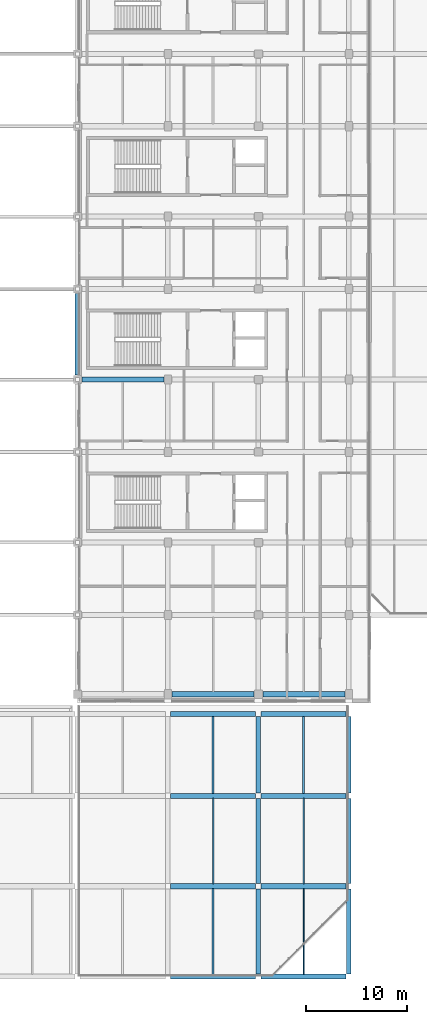
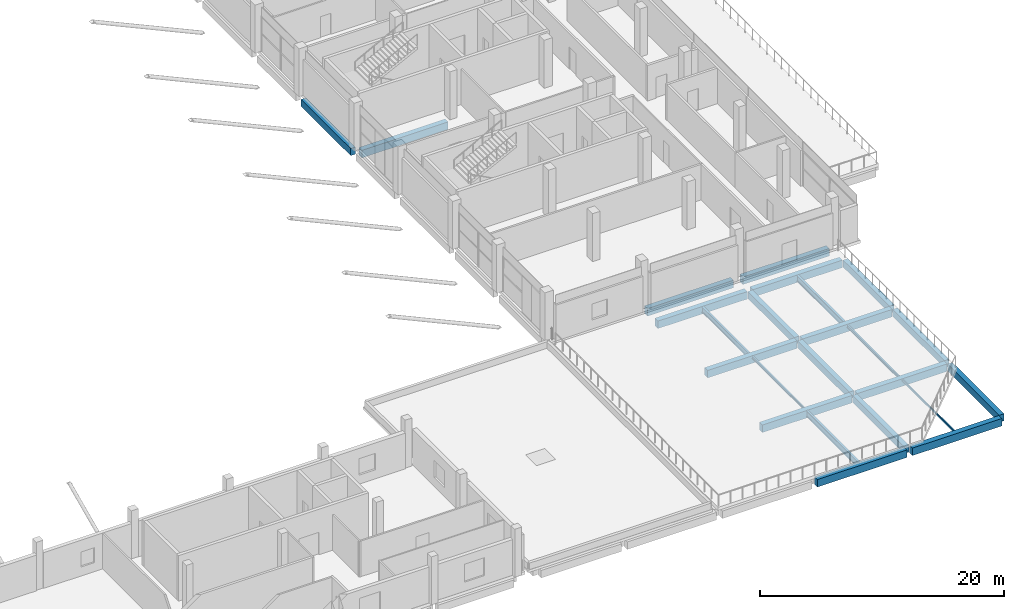
# One storey, part 25 of 82: 24 beams.
"""IFC4 building model written with IfcOpenShell, lengths in metres."""

from ifc_helpers import new_model, si_unit, direction, frame, origin, origin_2d, place, context, subcontext, project, spatial, rectangle, hollow_rectangle, i_section, extrude, material, material_profile, profile_set, type_object, element, save


model = new_model("IFC4")

# Units and contexts
model_context = context("Model", 3, precision=1e-05, world=origin(), true_north=direction((0.0, 1.0)))
body_context = subcontext(model_context, "Body", "Model", "MODEL_VIEW")
ifc_project = project(units=[si_unit("LENGTHUNIT", "METRE"), si_unit("AREAUNIT", "SQUARE_METRE"), si_unit("VOLUMEUNIT", "CUBIC_METRE"), si_unit("PLANEANGLEUNIT", "RADIAN"), si_unit("MASSUNIT", "GRAM", prefix="KILO"), si_unit("THERMODYNAMICTEMPERATUREUNIT", "KELVIN"), si_unit("POWERUNIT", "WATT")], contexts=[model_context])

# Site, building, storey
site_placement = place(None, origin())
site = spatial("IfcSite", under=ifc_project, at=site_placement, CompositionType="ELEMENT")
building_placement = place(site_placement, origin())
building = spatial("IfcBuilding", under=site, at=building_placement, Name="Sindhuravela Promenade Stadium", CompositionType="ELEMENT")
storey_placement = place(building_placement, frame((0.0, 0.0, 14.39990234375)))
storey = spatial("IfcBuildingStorey", under=building, at=storey_placement, Name="L03", CompositionType="ELEMENT", Elevation=14.39990234375)

# Beams
ifc_material_1 = material(Name="Concrete M40", Category="concrete")
ifc_material_profile_1 = material_profile(ifc_material_1, rectangle(XDim=0.449951171875, YDim=0.699951171875, at=origin_2d()), Name="RC 450x700")
ifc_profile_set_1 = profile_set([ifc_material_profile_1], Name="Concrete M40")
beam_type_1 = type_object("IfcBeamType", Name="RC-BM-450x700", PredefinedType="BEAM", material=ifc_profile_set_1)
beam_1_placement = place(storey_placement, frame((180.0, 68.840087890625, -0.64990234375), z_axis=(0.0, 1.0, 0.0), x_axis=(-1.0, 0.0, 0.0)))
element("IfcBeam", 1, at=beam_1_placement, inside=storey, type_object=beam_type_1, Name="Primary beam GB07 EAST L03", PredefinedType="BEAM", context=body_context, shape_type="SweptSolid", body=[
    extrude(rectangle(XDim=0.449951171875, YDim=0.699951171875, at=origin_2d()), origin(), (0.0, 0.0, 1.0), 8.119873046875),
])
for number, where, z_axis, x_axis, name in (
    (2, (198.0, 9.264892578125, -0.659912109375), (0.0, 1.0, 0.0), (-1.0, 0.0, 0.0), "Primary beam GB07 Pavilion SE L03"),
    (3, (198.0, 18.264892578125, -0.659912109375), (0.0, 1.0, 0.0), (-1.0, 0.0, 0.0), "Primary beam GB07 Pavilion SE L03"),
):
    element("IfcBeam", number, at=place(storey_placement, frame(where, z_axis=z_axis, x_axis=x_axis)), inside=storey, type_object=beam_type_1, Name=name, PredefinedType="BEAM", context=body_context, shape_type="SweptSolid", body=[
        extrude(rectangle(XDim=0.449951171875, YDim=0.699951171875, at=origin_2d()), origin(), (0.0, 0.0, 1.0), 8.47021484375),
    ])
beam_2_placement = place(storey_placement, frame((198.0, 27.264892578125, -0.659912109375), z_axis=(0.0, 1.0, 0.0), x_axis=(-1.0, 0.0, 0.0)))
element("IfcBeam", 4, at=beam_2_placement, inside=storey, type_object=beam_type_1, Name="Primary beam GB07 Pavilion SE L03", PredefinedType="BEAM", context=body_context, shape_type="SweptSolid", body=[
    extrude(rectangle(XDim=0.449951171875, YDim=0.699951171875, at=origin_2d()), origin(), (0.0, 0.0, 1.0), 7.6201171875),
])
for number, where, z_axis, x_axis, name in (
    (5, (207.0, 9.264892578125, -0.659912109375), (0.0, 1.0, 0.0), (-1.0, 0.0, 0.0), "Primary beam GB07 Pavilion SE L03"),
    (6, (207.0, 18.264892578125, -0.659912109375), (0.0, 1.0, 0.0), (-1.0, 0.0, 0.0), "Primary beam GB07 Pavilion SE L03"),
):
    element("IfcBeam", number, at=place(storey_placement, frame(where, z_axis=z_axis, x_axis=x_axis)), inside=storey, type_object=beam_type_1, Name=name, PredefinedType="BEAM", context=body_context, shape_type="SweptSolid", body=[
        extrude(rectangle(XDim=0.449951171875, YDim=0.699951171875, at=origin_2d()), origin(), (0.0, 0.0, 1.0), 8.47021484375),
    ])
beam_3_placement = place(storey_placement, frame((207.0, 27.264892578125, -0.659912109375), z_axis=(0.0, 1.0, 0.0), x_axis=(-1.0, 0.0, 0.0)))
element("IfcBeam", 7, at=beam_3_placement, inside=storey, type_object=beam_type_1, Name="Primary beam GB07 Pavilion SE L03", PredefinedType="BEAM", context=body_context, shape_type="SweptSolid", body=[
    extrude(rectangle(XDim=0.449951171875, YDim=0.699951171875, at=origin_2d()), origin(), (0.0, 0.0, 1.0), 7.6201171875),
])
ifc_material_profile_2 = material_profile(ifc_material_1, rectangle(XDim=0.5, YDim=0.75, at=origin_2d()), Name="RC 500x750")
ifc_profile_set_2 = profile_set([ifc_material_profile_2], Name="Concrete M40")
beam_type_2 = type_object("IfcBeamType", Name="RC-BM-500x750", PredefinedType="BEAM", material=ifc_profile_set_2)
for number, where, z_axis, x_axis, name in (
    (8, (189.389892578125, 37.10009765625, -0.6748046875), (1.0, 0.0, 0.0), (0.0, 1.0, 0.0), "Primary girder GB06 EAST L03"),
    (9, (198.43994140625, 37.10009765625, -0.6748046875), (1.0, 0.0, 0.0), (0.0, 1.0, 0.0), "Primary girder GB06 EAST L03"),
    (10, (180.43994140625, 68.39990234375, -0.6748046875), (1.0, 0.0, 0.0), (0.0, 1.0, 0.0), "Primary girder GB06 EAST L03"),
):
    element("IfcBeam", number, at=place(storey_placement, frame(where, z_axis=z_axis, x_axis=x_axis)), inside=storey, type_object=beam_type_2, Name=name, PredefinedType="BEAM", context=body_context, shape_type="SweptSolid", body=[
        extrude(rectangle(XDim=0.5, YDim=0.75, at=origin_2d()), origin(), (0.0, 0.0, 1.0), 8.170166015625),
    ])
for number, where, z_axis, x_axis, name in (
    (11, (189.264892578125, 9.0, -0.684814453125), (1.0, 0.0, 0.0), (0.0, 1.0, 0.0), "Primary girder GB06 Pavilion SE L03"),
    (12, (198.264892578125, 9.0, -0.684814453125), (1.0, 0.0, 0.0), (0.0, 1.0, 0.0), "Primary girder GB06 Pavilion SE L03"),
    (13, (189.264892578125, 18.0, -0.684814453125), (1.0, 0.0, 0.0), (0.0, 1.0, 0.0), "Primary girder GB06 Pavilion SE L03"),
    (14, (198.264892578125, 18.0, -0.684814453125), (1.0, 0.0, 0.0), (0.0, 1.0, 0.0), "Primary girder GB06 Pavilion SE L03"),
    (15, (189.264892578125, 27.0, -0.684814453125), (1.0, 0.0, 0.0), (0.0, 1.0, 0.0), "Primary girder GB06 Pavilion SE L03"),
    (16, (198.264892578125, 27.0, -0.684814453125), (1.0, 0.0, 0.0), (0.0, 1.0, 0.0), "Primary girder GB06 Pavilion SE L03"),
    (17, (189.264892578125, 35.14990234375, -0.684814453125), (1.0, 0.0, 0.0), (0.0, 1.0, 0.0), "Primary girder GB06 Pavilion SE L03"),
    (18, (198.264892578125, 35.14990234375, -0.684814453125), (1.0, 0.0, 0.0), (0.0, 1.0, 0.0), "Primary girder GB06 Pavilion SE L03"),
):
    element("IfcBeam", number, at=place(storey_placement, frame(where, z_axis=z_axis, x_axis=x_axis)), inside=storey, type_object=beam_type_2, Name=name, PredefinedType="BEAM", context=body_context, shape_type="SweptSolid", body=[
        extrude(rectangle(XDim=0.5, YDim=0.75, at=origin_2d()), origin(), (0.0, 0.0, 1.0), 8.47021484375),
    ])
ifc_material_2 = material(Name="Steel E350 (IS 2062 E350BR)", Category="steel")
ifc_material_profile_3 = material_profile(ifc_material_2, hollow_rectangle(XDim=0.10009765625, YDim=0.199951171875, WallThickness=0.008056640625, at=origin_2d()), Name="RHS 200x100x8")
ifc_profile_set_3 = profile_set([ifc_material_profile_3], Name="Steel E350 (IS 2062 E350BR)")
beam_type_3 = type_object("IfcBeamType", Name="ST-BM-LNT200", PredefinedType="LINTEL", material=ifc_profile_set_3)
beam_4_placement = place(storey_placement, frame((202.5, 9.239990234375, -0.409912109375), z_axis=(0.0, 1.0, 0.0), x_axis=(-1.0, 0.0, 0.0)))
element("IfcBeam", 19, at=beam_4_placement, inside=storey, type_object=beam_type_3, Name="Secondary floor joist LN01 Pavilion SE L03", PredefinedType="LINTEL", context=body_context, shape_type="SweptSolid", body=[
    extrude(hollow_rectangle(XDim=0.10009765625, YDim=0.199951171875, WallThickness=0.008056640625, at=origin_2d()), origin(), (0.0, 0.0, 1.0), 8.52001953125),
])
ifc_material_profile_4 = material_profile(ifc_material_2, i_section(OverallWidth=0.125, OverallDepth=0.25, WebThickness=0.0068359375, FlangeThickness=0.012451171875, FilletRadius=0.012939453125, at=origin_2d()), Name="ISMB 250")
ifc_profile_set_4 = profile_set([ifc_material_profile_4], Name="Steel E350 (IS 2062 E350BR)")
beam_type_4 = type_object("IfcBeamType", Name="ST-BM-MB250", PredefinedType="JOIST", material=ifc_profile_set_4)
beam_5_placement = place(storey_placement, frame((193.5, 18.239990234375, -0.434814453125), z_axis=(0.0, 1.0, 0.0), x_axis=(-1.0, 0.0, 0.0)))
element("IfcBeam", 20, at=beam_5_placement, inside=storey, type_object=beam_type_4, Name="Secondary floor joist SB02 Pavilion SE L03", PredefinedType="JOIST", context=body_context, shape_type="SweptSolid", body=[
    extrude(i_section(OverallWidth=0.125, OverallDepth=0.25, WebThickness=0.0068359375, FlangeThickness=0.012451171875, FilletRadius=0.012939453125, at=origin_2d()), origin(), (0.0, 0.0, 1.0), 8.52001953125),
])
ifc_material_profile_5 = material_profile(ifc_material_2, i_section(OverallWidth=0.139892578125, OverallDepth=0.300048828125, WebThickness=0.0078125, FlangeThickness=0.01318359375, FilletRadius=0.013916015625, at=origin_2d()), Name="ISMB 300")
ifc_profile_set_5 = profile_set([ifc_material_profile_5], Name="Steel E350 (IS 2062 E350BR)")
beam_type_5 = type_object("IfcBeamType", Name="ST-BM-MB300", PredefinedType="JOIST", material=ifc_profile_set_5)
beam_6_placement = place(storey_placement, frame((202.5, 18.239990234375, -0.4599609375), z_axis=(0.0, 1.0, 0.0), x_axis=(-1.0, 0.0, 0.0)))
element("IfcBeam", 21, at=beam_6_placement, inside=storey, type_object=beam_type_5, Name="Secondary floor joist SB03 Pavilion SE L03", PredefinedType="JOIST", context=body_context, shape_type="SweptSolid", body=[
    extrude(i_section(OverallWidth=0.139892578125, OverallDepth=0.300048828125, WebThickness=0.0078125, FlangeThickness=0.01318359375, FilletRadius=0.013916015625, at=origin_2d()), origin(), (0.0, 0.0, 1.0), 8.52001953125),
])
ifc_material_profile_6 = material_profile(ifc_material_2, i_section(OverallWidth=0.18994140625, OverallDepth=0.550048828125, WebThickness=0.01123046875, FlangeThickness=0.019287109375, FilletRadius=0.01806640625, at=origin_2d()), Name="ISMB 550")
ifc_profile_set_6 = profile_set([ifc_material_profile_6], Name="Steel E350 (IS 2062 E350BR)")
beam_type_6 = type_object("IfcBeamType", Name="ST-BM-MB550", PredefinedType="SPANDREL", material=ifc_profile_set_6)
beam_7_placement = place(storey_placement, frame((193.5, 27.239990234375, -0.5849609375), z_axis=(0.0, 1.0, 0.0), x_axis=(-1.0, 0.0, 0.0)))
element("IfcBeam", 22, at=beam_7_placement, inside=storey, type_object=beam_type_6, Name="Secondary floor joist SB08 Pavilion SE L03", PredefinedType="SPANDREL", context=body_context, shape_type="SweptSolid", body=[
    extrude(i_section(OverallWidth=0.18994140625, OverallDepth=0.550048828125, WebThickness=0.01123046875, FlangeThickness=0.019287109375, FilletRadius=0.01806640625, at=origin_2d()), origin(), (0.0, 0.0, 1.0), 7.669921875),
])
ifc_material_profile_7 = material_profile(ifc_material_2, i_section(OverallWidth=0.2099609375, OverallDepth=0.60009765625, WebThickness=0.011962890625, FlangeThickness=0.020751953125, FilletRadius=0.02001953125, at=origin_2d()), Name="ISMB 600")
ifc_profile_set_7 = profile_set([ifc_material_profile_7], Name="Steel E350 (IS 2062 E350BR)")
beam_type_7 = type_object("IfcBeamType", Name="ST-BM-MB600", PredefinedType="BEAM", material=ifc_profile_set_7)
beam_8_placement = place(storey_placement, frame((193.5, 9.239990234375, -0.60986328125), z_axis=(0.0, 1.0, 0.0), x_axis=(-1.0, 0.0, 0.0)))
element("IfcBeam", 23, at=beam_8_placement, inside=storey, type_object=beam_type_7, Name="Secondary floor joist SB09 Pavilion SE L03", PredefinedType="BEAM", context=body_context, shape_type="SweptSolid", body=[
    extrude(i_section(OverallWidth=0.2099609375, OverallDepth=0.60009765625, WebThickness=0.011962890625, FlangeThickness=0.020751953125, FilletRadius=0.02001953125, at=origin_2d()), origin(), (0.0, 0.0, 1.0), 8.52001953125),
])
beam_9_placement = place(storey_placement, frame((202.5, 27.239990234375, -0.60986328125), z_axis=(0.0, 1.0, 0.0), x_axis=(-1.0, 0.0, 0.0)))
element("IfcBeam", 24, at=beam_9_placement, inside=storey, type_object=beam_type_7, Name="Secondary floor joist SB09 Pavilion SE L03", PredefinedType="BEAM", context=body_context, shape_type="SweptSolid", body=[
    extrude(i_section(OverallWidth=0.2099609375, OverallDepth=0.60009765625, WebThickness=0.011962890625, FlangeThickness=0.020751953125, FilletRadius=0.02001953125, at=origin_2d()), origin(), (0.0, 0.0, 1.0), 7.669921875),
])

save(model, "model.ifc")
